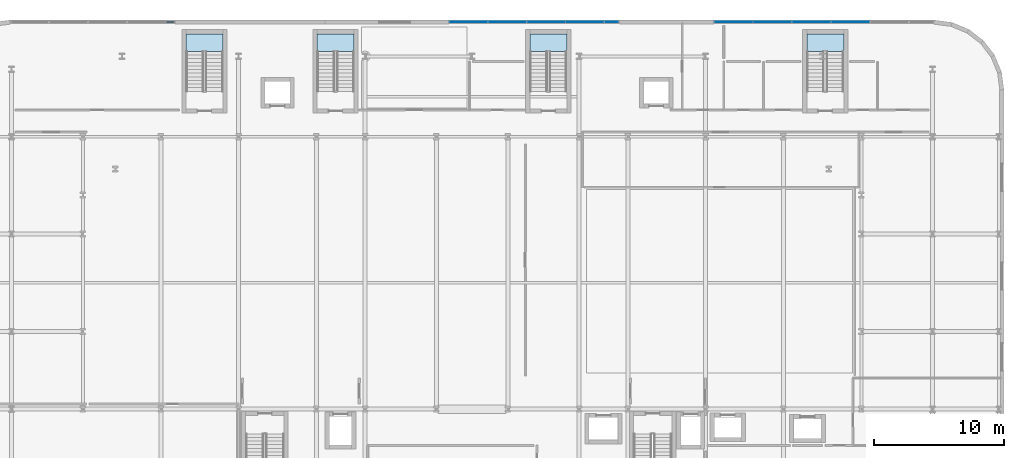
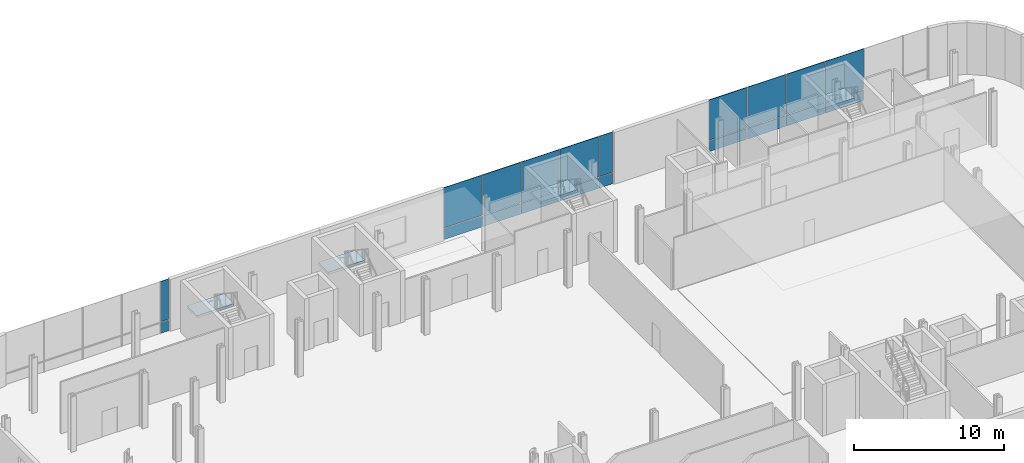
# One storey, part 15 of 25: 20 plates, 4 slabs, 7 elements without a shape of their own.
"""IFC4 building model written with IfcOpenShell, lengths in metres."""

from ifc_helpers import new_model, si_unit, direction, frame, origin, origin_2d, place, context, subcontext, project, spatial, polyline, rectangle, outline, extrude, material, layer, layer_set, type_object, element, aggregate, save


model = new_model("IFC4")

# Units and contexts
model_context = context("Model", 3, precision=1e-05, world=origin(), true_north=direction((0.0, 1.0)))
body_context = subcontext(model_context, "Body", "Model", "MODEL_VIEW")
ifc_project = project(units=[si_unit("LENGTHUNIT", "METRE"), si_unit("AREAUNIT", "SQUARE_METRE"), si_unit("VOLUMEUNIT", "CUBIC_METRE"), si_unit("PLANEANGLEUNIT", "RADIAN"), si_unit("MASSUNIT", "GRAM", prefix="KILO")], contexts=[model_context])

# Site, building, storey
site_placement = place(None, origin())
site = spatial("IfcSite", under=ifc_project, at=site_placement, CompositionType="ELEMENT")
building_placement = place(site_placement, origin())
building = spatial("IfcBuilding", under=site, at=building_placement, Name="Brevholm Reach", CompositionType="ELEMENT")
storey_placement = place(building_placement, frame((0.0, 0.0, 4.5)))
storey = spatial("IfcBuildingStorey", under=building, at=storey_placement, Name="L01", CompositionType="ELEMENT", Elevation=4.5)

# Curtain wall, plates
ifc_material_1 = material(Name="Dark Anodised Aluminium 6063-T6 and Solar-Control Glass", Category="aluminium")
ifc_layer_1 = layer(ifc_material_1, 0.1650390625)
ifc_layer_set_1 = layer_set([ifc_layer_1], Name="Dark Anodised Aluminium 6063-T6 and Solar-Control Glass")
curtain_wall_type = type_object("IfcCurtainWallType", Name="CW-03", PredefinedType="NOTDEFINED", material=ifc_layer_set_1)
curtain_wall_1_placement = place(storey_placement, origin())
curtain_wall_1 = element("IfcCurtainWall", 1, at=curtain_wall_1_placement, inside=storey, type_object=curtain_wall_type, Name="L01 Curtain Wall CW-03", PredefinedType="NOTDEFINED")
ifc_material_2 = material(Name="Triple-Glazed Acoustic School IGU Glass", Category="glass")
ifc_layer_2 = layer(ifc_material_2, 0.0439453125)
ifc_layer_set_2 = layer_set([ifc_layer_2], Name="Triple-Glazed Acoustic School IGU Glass")
plate_type = type_object("IfcPlateType", Name="CWP-ACU-44", PredefinedType="CURTAIN_PANEL", material=ifc_layer_set_2)
plate_1_placement = place(storey_placement, frame((6.732421875, 39.830078125, 0.0), z_axis=(0.0, 0.0, 1.0), x_axis=(1.0, 0.0, 0.0)))
plate_1 = element("IfcPlate", 2, at=plate_1_placement, type_object=plate_type, Name="CP-03 Glazing Panel 5.1", PredefinedType="CURTAIN_PANEL", context=body_context, shape_type="SweptSolid", body=[
    extrude(rectangle(XDim=0.594970703125, YDim=0.0439453125, at=origin_2d()), origin(), (0.0, 0.0, 1.0), 0.864990234375),
])
plate_2_placement = place(storey_placement, frame((6.732421875, 39.830078125, 0.93505859375), z_axis=(0.0, 0.0, 1.0), x_axis=(1.0, 0.0, 0.0)))
plate_2 = element("IfcPlate", 3, at=plate_2_placement, type_object=plate_type, Name="CP-03 Glazing Panel 5.2", PredefinedType="CURTAIN_PANEL", context=body_context, shape_type="SweptSolid", body=[
    extrude(rectangle(XDim=0.594970703125, YDim=0.0439453125, at=origin_2d()), origin(), (0.0, 0.0, 1.0), 3.284912109375),
])
aggregate(curtain_wall_1, [plate_1, plate_2])

curtain_wall_2_placement = place(storey_placement, origin())
curtain_wall_2 = element("IfcCurtainWall", 4, at=curtain_wall_2_placement, inside=storey, type_object=curtain_wall_type, Name="L01 Curtain Wall CW-03", PredefinedType="NOTDEFINED")
plate_3_placement = place(storey_placement, frame((29.717529296875, 39.830078125, 0.0), z_axis=(0.0, 0.0, 1.0), x_axis=(1.0, 0.0, 0.0)))
plate_3 = element("IfcPlate", 5, at=plate_3_placement, type_object=plate_type, Name="CP-03 Glazing Panel 1.1", PredefinedType="CURTAIN_PANEL", context=body_context, shape_type="SweptSolid", body=[
    extrude(rectangle(XDim=2.89501953125, YDim=0.0439453125, at=origin_2d()), origin(), (0.0, 0.0, 1.0), 0.864990234375),
])
plate_4_placement = place(storey_placement, frame((29.717529296875, 39.830078125, 0.93505859375), z_axis=(0.0, 0.0, 1.0), x_axis=(1.0, 0.0, 0.0)))
plate_4 = element("IfcPlate", 6, at=plate_4_placement, type_object=plate_type, Name="CP-03 Glazing Panel 1.2", PredefinedType="CURTAIN_PANEL", context=body_context, shape_type="SweptSolid", body=[
    extrude(rectangle(XDim=2.89501953125, YDim=0.0439453125, at=origin_2d()), origin(), (0.0, 0.0, 1.0), 3.284912109375),
])
plate_5_placement = place(storey_placement, frame((32.699951171875, 39.830078125, 0.0), z_axis=(0.0, 0.0, 1.0), x_axis=(1.0, 0.0, 0.0)))
plate_5 = element("IfcPlate", 7, at=plate_5_placement, type_object=plate_type, Name="CP-03 Glazing Panel 2.1", PredefinedType="CURTAIN_PANEL", context=body_context, shape_type="SweptSolid", body=[
    extrude(rectangle(XDim=2.929931640625, YDim=0.0439453125, at=origin_2d()), origin(), (0.0, 0.0, 1.0), 0.864990234375),
])
plate_6_placement = place(storey_placement, frame((32.699951171875, 39.830078125, 0.93505859375), z_axis=(0.0, 0.0, 1.0), x_axis=(1.0, 0.0, 0.0)))
plate_6 = element("IfcPlate", 8, at=plate_6_placement, type_object=plate_type, Name="CP-03 Glazing Panel 2.2", PredefinedType="CURTAIN_PANEL", context=body_context, shape_type="SweptSolid", body=[
    extrude(rectangle(XDim=2.929931640625, YDim=0.0439453125, at=origin_2d()), origin(), (0.0, 0.0, 1.0), 3.284912109375),
])
plate_7_placement = place(storey_placement, frame((35.699951171875, 39.830078125, 0.0), z_axis=(0.0, 0.0, 1.0), x_axis=(1.0, 0.0, 0.0)))
plate_7 = element("IfcPlate", 9, at=plate_7_placement, type_object=plate_type, Name="CP-03 Glazing Panel 3.1", PredefinedType="CURTAIN_PANEL", context=body_context, shape_type="SweptSolid", body=[
    extrude(rectangle(XDim=2.929931640625, YDim=0.0439453125, at=origin_2d()), origin(), (0.0, 0.0, 1.0), 0.864990234375),
])
plate_8_placement = place(storey_placement, frame((35.699951171875, 39.830078125, 0.93505859375), z_axis=(0.0, 0.0, 1.0), x_axis=(1.0, 0.0, 0.0)))
plate_8 = element("IfcPlate", 10, at=plate_8_placement, type_object=plate_type, Name="CP-03 Glazing Panel 3.2", PredefinedType="CURTAIN_PANEL", context=body_context, shape_type="SweptSolid", body=[
    extrude(rectangle(XDim=2.929931640625, YDim=0.0439453125, at=origin_2d()), origin(), (0.0, 0.0, 1.0), 3.284912109375),
])
plate_9_placement = place(storey_placement, frame((38.699951171875, 39.830078125, 0.0), z_axis=(0.0, 0.0, 1.0), x_axis=(1.0, 0.0, 0.0)))
plate_9 = element("IfcPlate", 11, at=plate_9_placement, type_object=plate_type, Name="CP-03 Glazing Panel 4.1", PredefinedType="CURTAIN_PANEL", context=body_context, shape_type="SweptSolid", body=[
    extrude(rectangle(XDim=2.929931640625, YDim=0.0439453125, at=origin_2d()), origin(), (0.0, 0.0, 1.0), 0.864990234375),
])
plate_10_placement = place(storey_placement, frame((38.699951171875, 39.830078125, 0.93505859375), z_axis=(0.0, 0.0, 1.0), x_axis=(1.0, 0.0, 0.0)))
plate_10 = element("IfcPlate", 12, at=plate_10_placement, type_object=plate_type, Name="CP-03 Glazing Panel 4.2", PredefinedType="CURTAIN_PANEL", context=body_context, shape_type="SweptSolid", body=[
    extrude(rectangle(XDim=2.929931640625, YDim=0.0439453125, at=origin_2d()), origin(), (0.0, 0.0, 1.0), 3.284912109375),
])
plate_11_placement = place(storey_placement, frame((40.757568359375, 39.830078125, 0.0), z_axis=(0.0, 0.0, 1.0), x_axis=(1.0, 0.0, 0.0)))
plate_11 = element("IfcPlate", 13, at=plate_11_placement, type_object=plate_type, Name="CP-03 Glazing Panel 5.1", PredefinedType="CURTAIN_PANEL", context=body_context, shape_type="SweptSolid", body=[
    extrude(rectangle(XDim=1.044921875, YDim=0.0439453125, at=origin_2d()), origin(), (0.0, 0.0, 1.0), 0.864990234375),
])
plate_12_placement = place(storey_placement, frame((40.757568359375, 39.830078125, 0.93505859375), z_axis=(0.0, 0.0, 1.0), x_axis=(1.0, 0.0, 0.0)))
plate_12 = element("IfcPlate", 14, at=plate_12_placement, type_object=plate_type, Name="CP-03 Glazing Panel 5.2", PredefinedType="CURTAIN_PANEL", context=body_context, shape_type="SweptSolid", body=[
    extrude(rectangle(XDim=1.044921875, YDim=0.0439453125, at=origin_2d()), origin(), (0.0, 0.0, 1.0), 3.284912109375),
])
aggregate(curtain_wall_2, [plate_3, plate_4, plate_5, plate_6, plate_7, plate_8, plate_9, plate_10, plate_11, plate_12])

curtain_wall_3_placement = place(storey_placement, origin())
curtain_wall_3 = element("IfcCurtainWall", 15, at=curtain_wall_3_placement, inside=storey, type_object=curtain_wall_type, Name="L01 Curtain Wall CW-03", PredefinedType="NOTDEFINED")
plate_13_placement = place(storey_placement, frame((50.16748046875, 39.830078125, 0.0), z_axis=(0.0, 0.0, 1.0), x_axis=(1.0, 0.0, 0.0)))
plate_13 = element("IfcPlate", 16, at=plate_13_placement, type_object=plate_type, Name="CP-03 Glazing Panel 1.1", PredefinedType="CURTAIN_PANEL", context=body_context, shape_type="SweptSolid", body=[
    extrude(rectangle(XDim=2.89501953125, YDim=0.0439453125, at=origin_2d()), origin(), (0.0, 0.0, 1.0), 0.864990234375),
])
plate_14_placement = place(storey_placement, frame((50.16748046875, 39.830078125, 0.93505859375), z_axis=(0.0, 0.0, 1.0), x_axis=(1.0, 0.0, 0.0)))
plate_14 = element("IfcPlate", 17, at=plate_14_placement, type_object=plate_type, Name="CP-03 Glazing Panel 1.2", PredefinedType="CURTAIN_PANEL", context=body_context, shape_type="SweptSolid", body=[
    extrude(rectangle(XDim=2.89501953125, YDim=0.0439453125, at=origin_2d()), origin(), (0.0, 0.0, 1.0), 3.284912109375),
])
plate_15_placement = place(storey_placement, frame((53.14990234375, 39.830078125, 0.0), z_axis=(0.0, 0.0, 1.0), x_axis=(1.0, 0.0, 0.0)))
plate_15 = element("IfcPlate", 18, at=plate_15_placement, type_object=plate_type, Name="CP-03 Glazing Panel 2.1", PredefinedType="CURTAIN_PANEL", context=body_context, shape_type="SweptSolid", body=[
    extrude(rectangle(XDim=2.929931640625, YDim=0.0439453125, at=origin_2d()), origin(), (0.0, 0.0, 1.0), 0.864990234375),
])
plate_16_placement = place(storey_placement, frame((53.14990234375, 39.830078125, 0.93505859375), z_axis=(0.0, 0.0, 1.0), x_axis=(1.0, 0.0, 0.0)))
plate_16 = element("IfcPlate", 19, at=plate_16_placement, type_object=plate_type, Name="CP-03 Glazing Panel 2.2", PredefinedType="CURTAIN_PANEL", context=body_context, shape_type="SweptSolid", body=[
    extrude(rectangle(XDim=2.929931640625, YDim=0.0439453125, at=origin_2d()), origin(), (0.0, 0.0, 1.0), 3.284912109375),
])
plate_17_placement = place(storey_placement, frame((56.14990234375, 39.830078125, 0.0), z_axis=(0.0, 0.0, 1.0), x_axis=(1.0, 0.0, 0.0)))
plate_17 = element("IfcPlate", 20, at=plate_17_placement, type_object=plate_type, Name="CP-03 Glazing Panel 3.1", PredefinedType="CURTAIN_PANEL", context=body_context, shape_type="SweptSolid", body=[
    extrude(rectangle(XDim=2.929931640625, YDim=0.0439453125, at=origin_2d()), origin(), (0.0, 0.0, 1.0), 0.864990234375),
])
plate_18_placement = place(storey_placement, frame((56.14990234375, 39.830078125, 0.93505859375), z_axis=(0.0, 0.0, 1.0), x_axis=(1.0, 0.0, 0.0)))
plate_18 = element("IfcPlate", 21, at=plate_18_placement, type_object=plate_type, Name="CP-03 Glazing Panel 3.2", PredefinedType="CURTAIN_PANEL", context=body_context, shape_type="SweptSolid", body=[
    extrude(rectangle(XDim=2.929931640625, YDim=0.0439453125, at=origin_2d()), origin(), (0.0, 0.0, 1.0), 3.284912109375),
])
plate_19_placement = place(storey_placement, frame((59.14990234375, 39.830078125, 0.0), z_axis=(0.0, 0.0, 1.0), x_axis=(1.0, 0.0, 0.0)))
plate_19 = element("IfcPlate", 22, at=plate_19_placement, type_object=plate_type, Name="CP-03 Glazing Panel 4.1", PredefinedType="CURTAIN_PANEL", context=body_context, shape_type="SweptSolid", body=[
    extrude(rectangle(XDim=2.929931640625, YDim=0.0439453125, at=origin_2d()), origin(), (0.0, 0.0, 1.0), 0.864990234375),
])
plate_20_placement = place(storey_placement, frame((59.14990234375, 39.830078125, 0.93505859375), z_axis=(0.0, 0.0, 1.0), x_axis=(1.0, 0.0, 0.0)))
plate_20 = element("IfcPlate", 23, at=plate_20_placement, type_object=plate_type, Name="CP-03 Glazing Panel 4.2", PredefinedType="CURTAIN_PANEL", context=body_context, shape_type="SweptSolid", body=[
    extrude(rectangle(XDim=2.929931640625, YDim=0.0439453125, at=origin_2d()), origin(), (0.0, 0.0, 1.0), 3.284912109375),
])
aggregate(curtain_wall_3, [plate_13, plate_14, plate_15, plate_16, plate_17, plate_18, plate_19, plate_20])

# Stair, slab
ifc_material_3 = material(Name="Precast Concrete C40/50", Category="concrete")
stair_type = type_object("IfcStairType", Name="STR-ESC-1250", PredefinedType="DOUBLE_RETURN_STAIR", material=ifc_material_3)
stair_1_placement = place(storey_placement, origin())
stair_1 = element("IfcStair", 24, at=stair_1_placement, inside=storey, type_object=stair_type, Name="L01 ST-S1", PredefinedType="DOUBLE_RETURN_STAIR")
ifc_material_4 = material(Name="Concrete C40/50", Category="concrete")
ifc_layer_3 = layer(ifc_material_4, 0.199951171875)
ifc_layer_set_3 = layer_set([ifc_layer_3], Name="Concrete C40/50")
slab_type = type_object("IfcSlabType", Name="SLB-LND-200", PredefinedType="LANDING", material=ifc_layer_set_3)
slab_1_placement = place(storey_placement, frame((0.0, 0.0, 2.050048828125)))
slab_1 = element("IfcSlab", 25, at=slab_1_placement, type_object=slab_type, Name="ST-S1 landing 1", PredefinedType="LANDING", context=body_context, shape_type="SweptSolid", body=[
    extrude(outline(polyline([(10.800048828125, 37.580078125), (10.800048828125, 38.929931640625), (7.949951171875, 38.929931640625), (7.949951171875, 37.580078125), (10.800048828125, 37.580078125)])), origin(), (0.0, 0.0, 1.0), 0.199951171875),
])
aggregate(stair_1, [slab_1])

stair_2_placement = place(storey_placement, origin())
stair_2 = element("IfcStair", 26, at=stair_2_placement, inside=storey, type_object=stair_type, Name="L01 ST-S2", PredefinedType="DOUBLE_RETURN_STAIR")
slab_2_placement = place(storey_placement, frame((0.0, 0.0, 2.050048828125)))
slab_2 = element("IfcSlab", 27, at=slab_2_placement, type_object=slab_type, Name="ST-S2 landing 1", PredefinedType="LANDING", context=body_context, shape_type="SweptSolid", body=[
    extrude(outline(polyline([(20.89990234375, 37.580078125), (20.89990234375, 38.929931640625), (18.050048828125, 38.929931640625), (18.050048828125, 37.580078125), (20.89990234375, 37.580078125)])), origin(), (0.0, 0.0, 1.0), 0.199951171875),
])
aggregate(stair_2, [slab_2])

stair_3_placement = place(storey_placement, origin())
stair_3 = element("IfcStair", 28, at=stair_3_placement, inside=storey, type_object=stair_type, Name="L01 ST-S3", PredefinedType="DOUBLE_RETURN_STAIR")
slab_3_placement = place(storey_placement, frame((0.0, 0.0, 2.050048828125)))
slab_3 = element("IfcSlab", 29, at=slab_3_placement, type_object=slab_type, Name="ST-S3 landing 1", PredefinedType="LANDING", context=body_context, shape_type="SweptSolid", body=[
    extrude(outline(polyline([(37.300048828125, 37.580078125), (37.300048828125, 38.929931640625), (34.449951171875, 38.929931640625), (34.449951171875, 37.580078125), (37.300048828125, 37.580078125)])), origin(), (0.0, 0.0, 1.0), 0.199951171875),
])
aggregate(stair_3, [slab_3])

stair_4_placement = place(storey_placement, origin())
stair_4 = element("IfcStair", 30, at=stair_4_placement, inside=storey, type_object=stair_type, Name="L01 ST-S4", PredefinedType="DOUBLE_RETURN_STAIR")
slab_4_placement = place(storey_placement, frame((0.0, 0.0, 2.050048828125)))
slab_4 = element("IfcSlab", 31, at=slab_4_placement, type_object=slab_type, Name="ST-S4 landing 1", PredefinedType="LANDING", context=body_context, shape_type="SweptSolid", body=[
    extrude(outline(polyline([(58.64990234375, 37.580078125), (58.64990234375, 38.929931640625), (55.800048828125, 38.929931640625), (55.800048828125, 37.580078125), (58.64990234375, 37.580078125)])), origin(), (0.0, 0.0, 1.0), 0.199951171875),
])
aggregate(stair_4, [slab_4])

save(model, "model.ifc")
